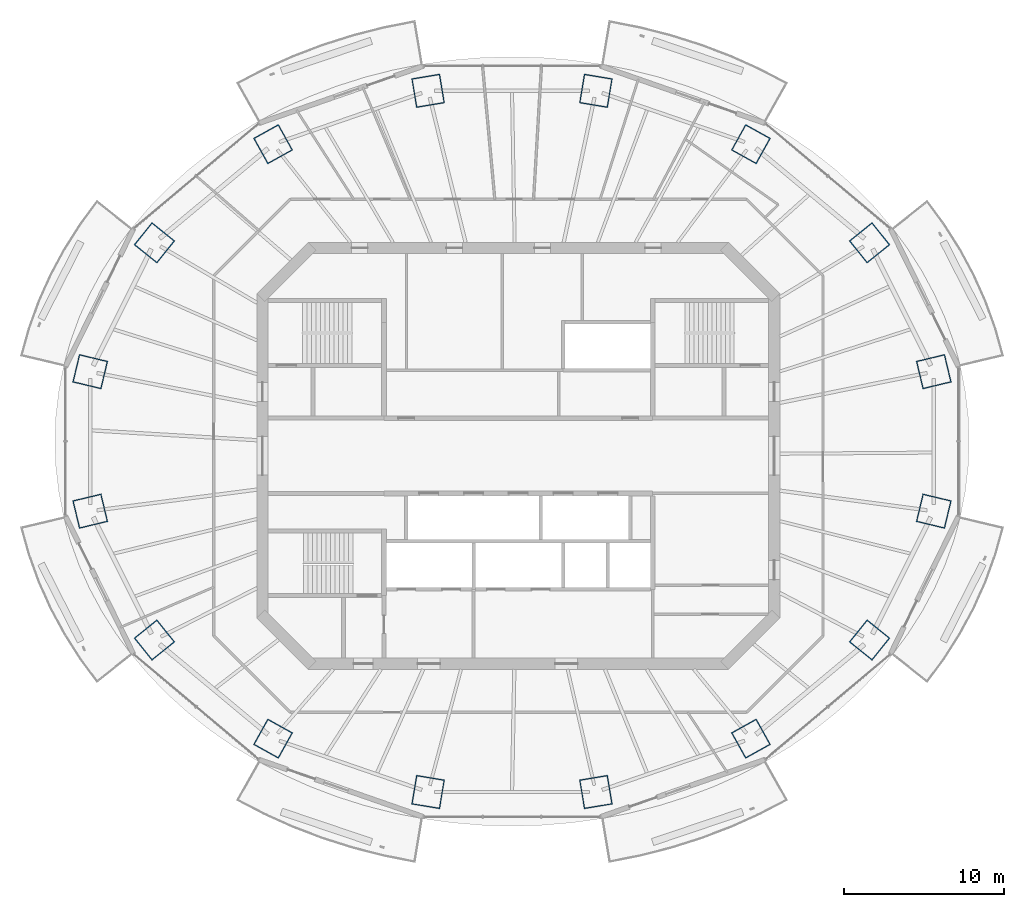
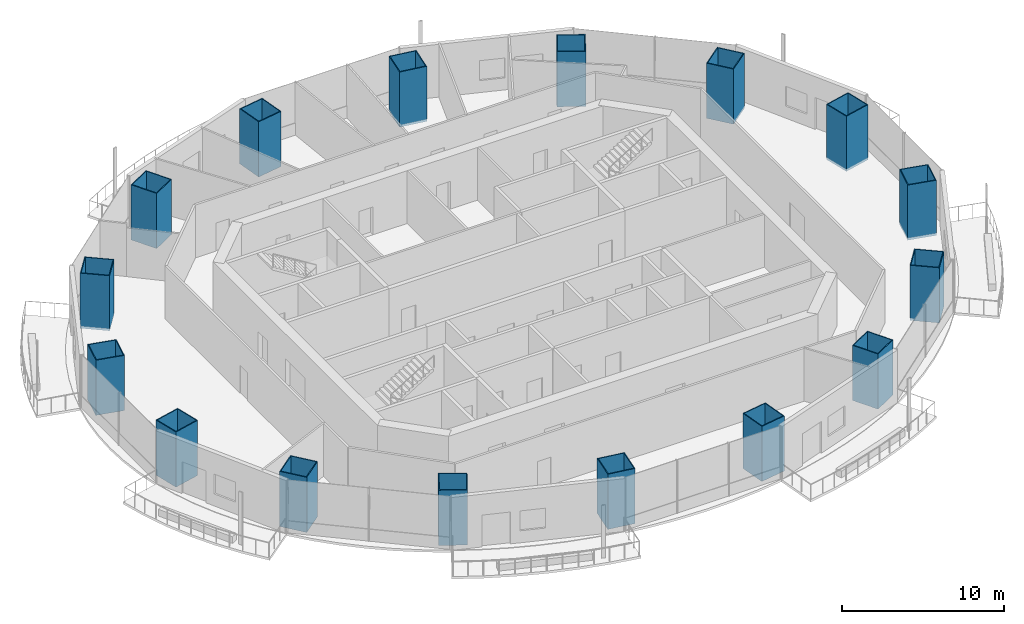
# One storey, part 1 of 16: 16 columns.
"""IFC4 building model written with IfcOpenShell, lengths in metres."""

from ifc_helpers import new_model, si_unit, direction, frame, origin, origin_2d, place, context, subcontext, project, spatial, rectangle, hollow_rectangle, extrude, material, material_profile, profile_set, type_object, element, save


model = new_model("IFC4")

# Units and contexts
model_context = context("Model", 3, precision=1e-05, world=origin(), true_north=direction((0.0, 1.0)))
body_context = subcontext(model_context, "Body", "Model", "MODEL_VIEW")
ifc_project = project(units=[si_unit("LENGTHUNIT", "METRE"), si_unit("AREAUNIT", "SQUARE_METRE"), si_unit("VOLUMEUNIT", "CUBIC_METRE"), si_unit("PLANEANGLEUNIT", "RADIAN"), si_unit("MASSUNIT", "GRAM", prefix="KILO")], contexts=[model_context])

# Site, building, storey
site_placement = place(None, origin())
site = spatial("IfcSite", under=ifc_project, at=site_placement, CompositionType="ELEMENT")
building_placement = place(site_placement, origin())
building = spatial("IfcBuilding", under=site, at=building_placement, Name="Marenthal Gate Tower", CompositionType="ELEMENT")
storey_placement = place(building_placement, frame((0.0, 0.0, 296.949951171875)))
storey = spatial("IfcBuildingStorey", under=building, at=storey_placement, Name="L66", CompositionType="ELEMENT", Elevation=296.949951171875)

# Columns
ifc_material_1 = material(Name="Steel S460", Category="steel")
ifc_material_profile_1 = material_profile(ifc_material_1, hollow_rectangle(XDim=1.800048828125, YDim=1.85009765625, WallThickness=0.06005859375, at=origin_2d()), Name="CFT BOX 1850X1800X60")
ifc_material_2 = material(Name="Concrete 70 MPa", Category="concrete")
ifc_material_profile_2 = material_profile(ifc_material_2, rectangle(XDim=1.679931640625, YDim=1.72998046875, at=origin_2d()), Name="CFT BOX 1850X1800X60 INFILL")
ifc_profile_set = profile_set([ifc_material_profile_1, ifc_material_profile_2], Name="Steel S460 shell, Concrete 70 MPa infill")
column_type = type_object("IfcColumnType", Name="CFT BOX 1850X1800X60", PredefinedType="COLUMN", material=ifc_profile_set)
for number, where, z_axis, x_axis, name in (
    (1, (25.979248046875, 5.26171875, -0.179931640625), (0.0, 0.0, 1.0), (0.232715542746, -0.972544845323, 0.0), "COL-L66-01"),
    (2, (21.963134765625, 13.3212890625, -0.179931640625), (0.0, 0.0, 1.0), (0.626499070203, -0.779422167401, 0.0), "COL-L66-02"),
    (3, (14.54248046875, 19.489990234375, -0.179931640625), (0.0, 0.0, 1.0), (0.874199687872, -0.485566582174, 0.0), "COL-L66-03"),
    (4, (4.84716796875, 22.828369140625, -0.179931640625), (0.0, 0.0, 1.0), (0.986603499759, -0.163136550975, 0.0), "COL-L66-04"),
    (5, (-5.647216796875, 22.828369140625, -0.179931640625), (0.0, 0.0, 1.0), (0.986603499759, 0.163136550975, 0.0), "COL-L66-05"),
    (6, (-15.342529296875, 19.489990234375, -0.179931640625), (0.0, 0.0, 1.0), (0.874199687872, 0.485566582174, 0.0), "COL-L66-06"),
    (7, (-22.76318359375, 13.3212890625, -0.179931640625), (0.0, 0.0, 1.0), (0.626499070203, 0.779422167401, 0.0), "COL-L66-07"),
    (8, (-26.779296875, 5.26171875, -0.179931640625), (0.0, 0.0, 1.0), (0.232715542746, 0.972544845323, 0.0), "COL-L66-08"),
    (9, (-26.779296875, -3.4619140625, -0.179931640625), (0.0, 0.0, 1.0), (-0.232715542746, 0.972544845323, 0.0), "COL-L66-09"),
    (10, (-22.76318359375, -11.521484375, -0.179931640625), (0.0, 0.0, 1.0), (-0.626499070203, 0.779422167401, 0.0), "COL-L66-10"),
    (11, (-15.342529296875, -17.68994140625, -0.179931640625), (0.0, 0.0, 1.0), (-0.874199687872, 0.485566582174, 0.0), "COL-L66-11"),
    (12, (-5.647216796875, -21.0283203125, -0.179931640625), (0.0, 0.0, 1.0), (-0.986603499759, 0.163136550975, 0.0), "COL-L66-12"),
    (13, (4.84716796875, -21.0283203125, -0.179931640625), (0.0, 0.0, 1.0), (-0.986603499759, -0.163136550975, 0.0), "COL-L66-13"),
    (14, (14.54248046875, -17.68994140625, -0.179931640625), (0.0, 0.0, 1.0), (-0.874199687872, -0.485566582174, 0.0), "COL-L66-14"),
    (15, (21.963134765625, -11.521484375, -0.179931640625), (0.0, 0.0, 1.0), (-0.626499070203, -0.779422167401, 0.0), "COL-L66-15"),
    (16, (25.979248046875, -3.4619140625, -0.179931640625), (0.0, 0.0, 1.0), (-0.232715542746, -0.972544845323, 0.0), "COL-L66-16"),
):
    element("IfcColumn", number, at=place(storey_placement, frame(where, z_axis=z_axis, x_axis=x_axis)), inside=storey, type_object=column_type, Name=name, PredefinedType="COLUMN", context=body_context, shape_type="SweptSolid", body=[
        extrude(hollow_rectangle(XDim=1.800048828125, YDim=1.85009765625, WallThickness=0.06005859375, at=origin_2d()), origin(), (0.0, 0.0, 1.0), 4.14990234375),
    ])

save(model, "model.ifc")
